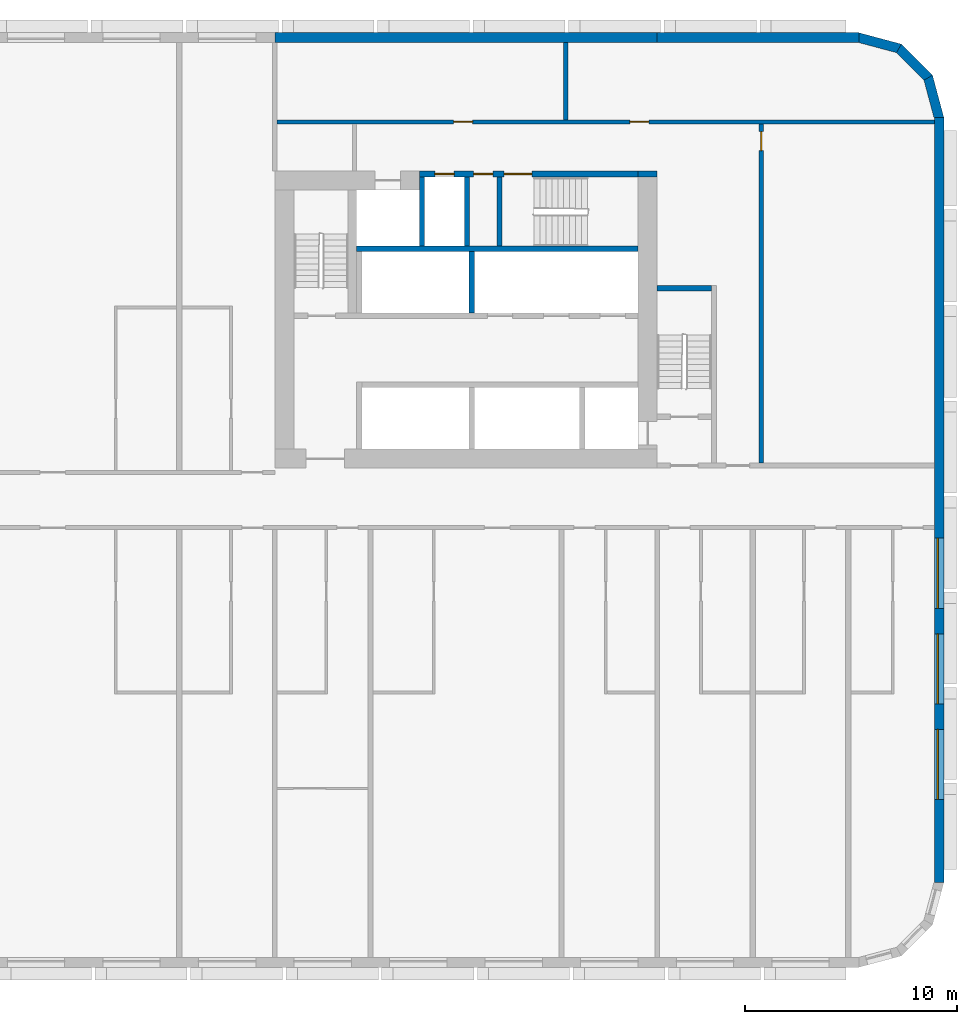
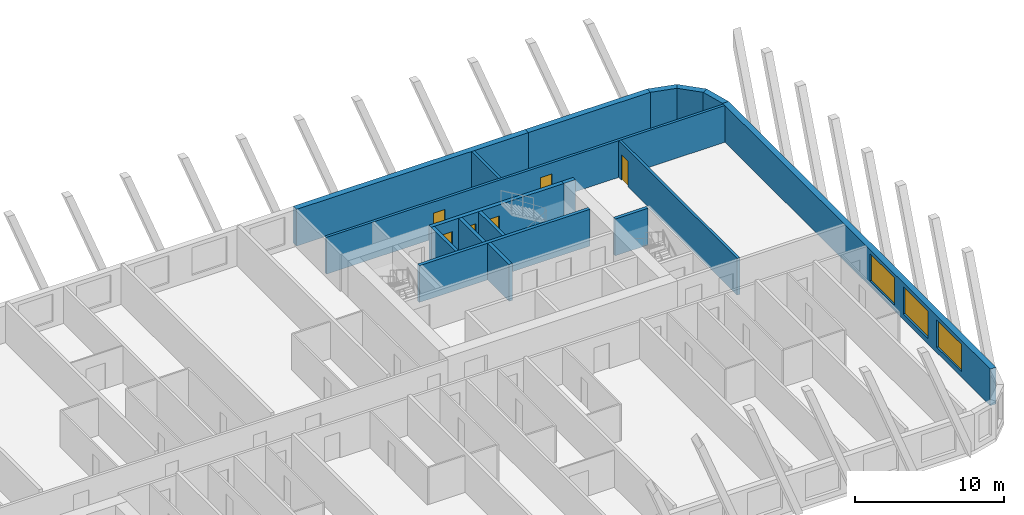
# One storey, part 8 of 13: 17 walls, 6 doors, 3 windows, 9 openings.
"""IFC4 building model written with IfcOpenShell, lengths in metres."""

from ifc_helpers import new_model, si_unit, direction, frame, frame_2d, origin, place, context, subcontext, project, spatial, polyline, rectangle, outline, extrude, material, layer, layer_set, type_object, element, fill, save


model = new_model("IFC4")

# Units and contexts
model_context = context("Model", 3, precision=1e-05, world=origin(), true_north=direction((0.0, 1.0)))
body_context = subcontext(model_context, "Body", "Model", "MODEL_VIEW")
ifc_project = project(units=[si_unit("LENGTHUNIT", "METRE"), si_unit("AREAUNIT", "SQUARE_METRE"), si_unit("VOLUMEUNIT", "CUBIC_METRE"), si_unit("PLANEANGLEUNIT", "RADIAN"), si_unit("MASSUNIT", "GRAM", prefix="KILO")], contexts=[model_context])

# Site, building, storey
site_placement = place(None, origin())
site = spatial("IfcSite", under=ifc_project, at=site_placement, CompositionType="ELEMENT")
building_placement = place(site_placement, origin())
building = spatial("IfcBuilding", under=site, at=building_placement, Name="Kajstack Hotel Tower", CompositionType="ELEMENT")
storey_placement = place(building_placement, frame((0.0, 0.0, 79.800048828125)))
storey = spatial("IfcBuildingStorey", under=building, at=storey_placement, Name="L15", CompositionType="ELEMENT", Elevation=79.800048828125)

# Walls
ifc_material_1 = material(Name="Concrete C60/75", Category="concrete")
ifc_layer_1 = layer(ifc_material_1, 0.89990234375)
ifc_layer_set_1 = layer_set([ifc_layer_1], Name="Core wall 900")
wall_type_1 = type_object("IfcWallType", Name="Core wall 900", PredefinedType="SHEAR", material=ifc_layer_set_1)
wall_1_placement = place(storey_placement, frame((30.60009765625, 15.35009765625, 0.0), z_axis=(0.0, 0.0, 1.0), x_axis=(1.0, 0.0, 0.0)))
element("IfcWall", 1, at=wall_1_placement, inside=storey, type_object=wall_type_1, Name="Core wall E RSW", PredefinedType="SHEAR", context=body_context, shape_type="SweptSolid", body=[
    extrude(rectangle(XDim=0.89990234375, YDim=0.300048828125, at=frame_2d((0.449951171875, 0.0))), origin(), (0.0, 0.0, 1.0), 3.02001953125),
])
ifc_material_2 = material(Name="Concrete C40/50", Category="concrete")
ifc_layer_2 = layer(ifc_material_2, 0.449951171875)
ifc_layer_set_2 = layer_set([ifc_layer_2], Name="EW-CORE")
wall_type_2 = type_object("IfcWallType", Name="EW-CORE", PredefinedType="SOLIDWALL", material=ifc_layer_set_2)
wall_2_placement = place(storey_placement, frame((31.5, 21.77490234375, 0.0), z_axis=(0.0, 0.0, 1.0), x_axis=(-1.0, 0.0, 0.0)))
element("IfcWall", 2, at=wall_2_placement, inside=storey, type_object=wall_type_2, Name="E-wall-L15-11-01", PredefinedType="SOLIDWALL", context=body_context, shape_type="SweptSolid", body=[
    extrude(rectangle(XDim=18.0, YDim=0.449951171875, at=frame_2d((9.0, 0.0))), origin(), (0.0, 0.0, 1.0), 3.02001953125),
])

# Wall, openings, windows
ifc_material_3 = material(Name="Terracotta-faced brick masonry", Category="masonry")
ifc_layer_3 = layer(ifc_material_3, 0.449951171875)
ifc_layer_set_3 = layer_set([ifc_layer_3], Name="EW-TERRA")
wall_type_3 = type_object("IfcWallType", Name="EW-TERRA", PredefinedType="SOLIDWALL", material=ifc_layer_set_3)
wall_3_placement = place(storey_placement, frame((44.77490234375, -18.0, 0.0), z_axis=(0.0, 0.0, 1.0), x_axis=(0.0, 1.0, 0.0)))
wall_3 = element("IfcWall", 3, at=wall_3_placement, inside=storey, type_object=wall_type_3, Name="E-wall-L15-07-00", PredefinedType="SOLIDWALL", context=body_context, shape_type="SweptSolid", body=[
    extrude(rectangle(XDim=36.0, YDim=0.449951171875, at=frame_2d((18.0, 0.0))), origin(), (0.0, 0.0, 1.0), 3.02001953125),
])
opening_1_placement = place(wall_3_placement, frame((3.89990234375, 0.0, 0.449951171875)))
opening_1 = element("IfcOpeningElement", 4, at=opening_1_placement, cuts=wall_3, Name="Opening W2", PredefinedType="OPENING", context=body_context, shape_type="SweptSolid", body=[
    extrude(rectangle(XDim=3.300048828125, YDim=2.25, at=frame_2d((1.64990234375, 1.125))), frame((0.0, 0.23486328125, 0.0), z_axis=(0.0, -1.0, 0.0), x_axis=(1.0, 0.0, 0.0)), (0.0, 0.0, 1.0), 0.469970703125),
])
opening_2_placement = place(wall_3_placement, frame((8.39990234375, 0.0, 0.449951171875)))
opening_2 = element("IfcOpeningElement", 5, at=opening_2_placement, cuts=wall_3, Name="Opening W2", PredefinedType="OPENING", context=body_context, shape_type="SweptSolid", body=[
    extrude(rectangle(XDim=3.300048828125, YDim=2.25, at=frame_2d((1.64990234375, 1.125))), frame((0.0, 0.23486328125, 0.0), z_axis=(0.0, -1.0, 0.0), x_axis=(1.0, 0.0, 0.0)), (0.0, 0.0, 1.0), 0.469970703125),
])
opening_3_placement = place(wall_3_placement, frame((12.89990234375, 0.0, 0.449951171875)))
opening_3 = element("IfcOpeningElement", 6, at=opening_3_placement, cuts=wall_3, Name="Opening W2", PredefinedType="OPENING", context=body_context, shape_type="SweptSolid", body=[
    extrude(rectangle(XDim=3.300048828125, YDim=2.25, at=frame_2d((1.64990234375, 1.125))), frame((0.0, 0.23486328125, 0.0), z_axis=(0.0, -1.0, 0.0), x_axis=(1.0, 0.0, 0.0)), (0.0, 0.0, 1.0), 0.469970703125),
])
ifc_material_4 = material(Name="Timber-aluminium window, triple glazed", Category="wood")
window_type = type_object("IfcWindowType", Name="WG2", PartitioningType="SINGLE_PANEL", PredefinedType="WINDOW", material=ifc_material_4)
window_1_placement = place(opening_1_placement, origin())
window_1 = element("IfcWindow", 7, at=window_1_placement, inside=storey, type_object=window_type, Name="Window W2 L15-07", OverallHeight=2.25, OverallWidth=3.300048828125, PartitioningType="SINGLE_PANEL", PredefinedType="WINDOW", context=body_context, shape_type="SweptSolid", body=[
    extrude(rectangle(XDim=3.300048828125, YDim=2.25, at=frame_2d((1.64990234375, 1.125))), frame((0.0, 0.090087890625, 0.0), z_axis=(0.0, -1.0, 0.0), x_axis=(1.0, 0.0, 0.0)), (0.0, 0.0, 1.0), 0.06005859375),
])
fill(opening_1, window_1)
window_2_placement = place(opening_2_placement, origin())
window_2 = element("IfcWindow", 8, at=window_2_placement, inside=storey, type_object=window_type, Name="Window W2 L15-07", OverallHeight=2.25, OverallWidth=3.300048828125, PartitioningType="SINGLE_PANEL", PredefinedType="WINDOW", context=body_context, shape_type="SweptSolid", body=[
    extrude(rectangle(XDim=3.300048828125, YDim=2.25, at=frame_2d((1.64990234375, 1.125))), frame((0.0, 0.090087890625, 0.0), z_axis=(0.0, -1.0, 0.0), x_axis=(1.0, 0.0, 0.0)), (0.0, 0.0, 1.0), 0.06005859375),
])
fill(opening_2, window_2)
window_3_placement = place(opening_3_placement, origin())
window_3 = element("IfcWindow", 9, at=window_3_placement, inside=storey, type_object=window_type, Name="Window W2 L15-07", OverallHeight=2.25, OverallWidth=3.300048828125, PartitioningType="SINGLE_PANEL", PredefinedType="WINDOW", context=body_context, shape_type="SweptSolid", body=[
    extrude(rectangle(XDim=3.300048828125, YDim=2.25, at=frame_2d((1.64990234375, 1.125))), frame((0.0, 0.090087890625, 0.0), z_axis=(0.0, -1.0, 0.0), x_axis=(1.0, 0.0, 0.0)), (0.0, 0.0, 1.0), 0.06005859375),
])
fill(opening_3, window_3)

# Walls
wall_4_placement = place(storey_placement, frame((44.78271484375, 17.941650390625, 0.0), z_axis=(0.0, 0.0, 1.0), x_axis=(-0.25881466832, 0.965926999034, 0.0)))
element("IfcWall", 10, at=wall_4_placement, inside=storey, type_object=wall_type_3, Name="E-wall-L15-08-00", PredefinedType="SOLIDWALL", context=body_context, shape_type="SweptSolid", body=[
    extrude(outline(polyline([(0.000244140625, -0.22509765625), (2.070556640625, -0.224853515625), (1.9501953125, 0.22509765625), (0.12060546875, 0.22509765625), (0.000244140625, -0.22509765625)])), origin(), (0.0, 0.0, 1.0), 3.02001953125),
])
wall_5_placement = place(storey_placement, frame((44.304931640625, 19.8408203125, 0.0), z_axis=(0.0, 0.0, 1.0), x_axis=(-0.707106781187, 0.707106781187, 0.0)))
element("IfcWall", 11, at=wall_5_placement, inside=storey, type_object=wall_type_3, Name="E-wall-L15-09-00", PredefinedType="SOLIDWALL", context=body_context, shape_type="SweptSolid", body=[
    extrude(outline(polyline([(0.0, -0.22509765625), (2.070556640625, -0.22509765625), (1.949951171875, 0.224853515625), (0.12060546875, 0.224853515625), (0.0, -0.22509765625)])), origin(), (0.0, 0.0, 1.0), 3.02001953125),
])
wall_6_placement = place(storey_placement, frame((42.941650390625, 21.246826171875, 0.0), z_axis=(0.0, 0.0, 1.0), x_axis=(-0.965926999034, 0.25881466832, 0.0)))
element("IfcWall", 12, at=wall_6_placement, inside=storey, type_object=wall_type_3, Name="E-wall-L15-10-00", PredefinedType="SOLIDWALL", context=body_context, shape_type="SweptSolid", body=[
    extrude(outline(polyline([(-0.000244140625, -0.224853515625), (2.0703125, -0.22509765625), (1.949951171875, 0.22509765625), (0.120361328125, 0.22509765625), (-0.000244140625, -0.224853515625)])), origin(), (0.0, 0.0, 1.0), 3.02001953125),
])
wall_7_placement = place(storey_placement, frame((41.0, 21.77490234375, 0.0), z_axis=(0.0, 0.0, 1.0), x_axis=(-1.0, 0.0, 0.0)))
element("IfcWall", 13, at=wall_7_placement, inside=storey, type_object=wall_type_3, Name="E-wall-L15-11-00", PredefinedType="SOLIDWALL", context=body_context, shape_type="SweptSolid", body=[
    extrude(rectangle(XDim=9.5, YDim=0.449951171875, at=frame_2d((4.75, 0.0))), origin(), (0.0, 0.0, 1.0), 3.02001953125),
])
ifc_material_5 = material(Name="Concrete C50/60", Category="concrete")
ifc_layer_4 = layer(ifc_material_5, 0.300048828125)
ifc_layer_set_4 = layer_set([ifc_layer_4], Name="Hoistway divider wall 300")
wall_type_4 = type_object("IfcWallType", Name="Hoistway divider wall 300", PredefinedType="SHEAR", material=ifc_layer_set_4)
wall_8_placement = place(storey_placement, frame((22.77490234375, 8.800048828125, 0.0), z_axis=(0.0, 0.0, 1.0), x_axis=(0.0, 1.0, 0.0)))
element("IfcWall", 14, at=wall_8_placement, inside=storey, type_object=wall_type_4, Name="Core wall E BP2", PredefinedType="SHEAR", context=body_context, shape_type="SweptSolid", body=[
    extrude(rectangle(XDim=2.89990234375, YDim=0.25, at=frame_2d((1.449951171875, 0.0))), origin(), (0.0, 0.0, 1.0), 3.02001953125),
])
ifc_material_6 = material(Name="Concrete block masonry", Category="masonry")
ifc_layer_5 = layer(ifc_material_6, 0.25)
ifc_layer_set_5 = layer_set([ifc_layer_5], Name="Riser partition 250")
wall_type_5 = type_object("IfcWallType", Name="Riser partition 250", PredefinedType="PARTITIONING", material=ifc_layer_set_5)
wall_9_placement = place(storey_placement, frame((22.550048828125, 11.949951171875, 0.0), z_axis=(0.0, 0.0, 1.0), x_axis=(0.0, 1.0, 0.0)))
element("IfcWall", 15, at=wall_9_placement, inside=storey, type_object=wall_type_5, Name="Partition E SZ0", PredefinedType="PARTITIONING", context=body_context, shape_type="SweptSolid", body=[
    extrude(rectangle(XDim=3.25, YDim=0.25, at=frame_2d((1.625, 0.0))), origin(), (0.0, 0.0, 1.0), 3.02001953125),
])

# Wall, opening, door
ifc_material_7 = material(Name="Gypsum board on steel studs, mineral wool", Category="steel")
ifc_layer_6 = layer(ifc_material_7, 0.199951171875)
ifc_layer_set_6 = layer_set([ifc_layer_6], Name="Service partition 200")
wall_type_6 = type_object("IfcWallType", Name="Service partition 200", PredefinedType="PARTITIONING", material=ifc_layer_set_6)
wall_10_placement = place(storey_placement, frame((36.39990234375, 1.75, 0.0), z_axis=(0.0, 0.0, 1.0), x_axis=(0.0, 1.0, 0.0)))
wall_10 = element("IfcWall", 16, at=wall_10_placement, inside=storey, type_object=wall_type_6, Name="Partition E WRE", PredefinedType="PARTITIONING", context=body_context, shape_type="SweptSolid", body=[
    extrude(rectangle(XDim=15.949951171875, YDim=0.199951171875, at=frame_2d((7.97509765625, 0.0))), origin(), (0.0, 0.0, 1.0), 3.02001953125),
])
opening_4_placement = place(wall_10_placement, frame((14.699951171875, 0.0, 0.0)))
opening_4 = element("IfcOpeningElement", 17, at=opening_4_placement, cuts=wall_10, Name="Opening 15E16", PredefinedType="OPENING", context=body_context, shape_type="SweptSolid", body=[
    extrude(rectangle(XDim=0.89990234375, YDim=2.10009765625, at=frame_2d((0.449951171875, 1.050048828125))), frame((0.0, 0.10986328125, 0.0), z_axis=(0.0, -1.0, 0.0), x_axis=(1.0, 0.0, 0.0)), (0.0, 0.0, 1.0), 0.219970703125),
])
ifc_material_8 = material(Name="Timber leaf, fire-rated", Category="wood")
door_type_1 = type_object("IfcDoorType", Name="Service door 900", OperationType="SINGLE_SWING_LEFT", PredefinedType="DOOR", material=ifc_material_8)
door_1_placement = place(opening_4_placement, origin())
door_1 = element("IfcDoor", 18, at=door_1_placement, inside=storey, type_object=door_type_1, Name="Door 15E16", OperationType="SINGLE_SWING_RIGHT", OverallHeight=2.10009765625, OverallWidth=0.89990234375, PredefinedType="DOOR", context=body_context, shape_type="SweptSolid", body=[
    extrude(rectangle(XDim=0.89990234375, YDim=2.10009765625, at=frame_2d((0.449951171875, 1.050048828125))), frame((0.0, 0.02490234375, 0.0), z_axis=(0.0, -1.0, 0.0), x_axis=(1.0, 0.0, 0.0)), (0.0, 0.0, 1.0), 0.050048828125),
])
fill(opening_4, door_1)

# Wall, openings, doors
wall_11_placement = place(storey_placement, frame((13.60009765625, 17.800048828125, 0.0), z_axis=(0.0, 0.0, 1.0), x_axis=(1.0, 0.0, 0.0)))
wall_11 = element("IfcWall", 19, at=wall_11_placement, inside=storey, type_object=wall_type_6, Name="Partition E SLN", PredefinedType="PARTITIONING", context=body_context, shape_type="SweptSolid", body=[
    extrude(rectangle(XDim=30.949951171875, YDim=0.199951171875, at=frame_2d((15.47509765625, 0.0))), origin(), (0.0, 0.0, 1.0), 3.02001953125),
])
opening_5_placement = place(wall_11_placement, frame((16.612548828125, 0.0, 0.0)))
opening_5 = element("IfcOpeningElement", 20, at=opening_5_placement, cuts=wall_11, Name="Opening 15E14", PredefinedType="OPENING", context=body_context, shape_type="SweptSolid", body=[
    extrude(rectangle(XDim=0.89990234375, YDim=2.10009765625, at=frame_2d((0.449951171875, 1.050048828125))), frame((0.0, 0.10986328125, 0.0), z_axis=(0.0, -1.0, 0.0), x_axis=(1.0, 0.0, 0.0)), (0.0, 0.0, 1.0), 0.219970703125),
])
opening_6_placement = place(wall_11_placement, frame((8.3125, 0.0, 0.0)))
opening_6 = element("IfcOpeningElement", 21, at=opening_6_placement, cuts=wall_11, Name="Opening 15E15", PredefinedType="OPENING", context=body_context, shape_type="SweptSolid", body=[
    extrude(rectangle(XDim=0.89990234375, YDim=2.10009765625, at=frame_2d((0.449951171875, 1.050048828125))), frame((0.0, 0.10986328125, 0.0), z_axis=(0.0, -1.0, 0.0), x_axis=(1.0, 0.0, 0.0)), (0.0, 0.0, 1.0), 0.219970703125),
])
door_2_placement = place(opening_5_placement, origin())
door_2 = element("IfcDoor", 22, at=door_2_placement, inside=storey, type_object=door_type_1, Name="Door 15E14", OperationType="SINGLE_SWING_LEFT", OverallHeight=2.10009765625, OverallWidth=0.89990234375, PredefinedType="DOOR", context=body_context, shape_type="SweptSolid", body=[
    extrude(rectangle(XDim=0.89990234375, YDim=2.10009765625, at=frame_2d((0.449951171875, 1.050048828125))), frame((0.0, 0.02490234375, 0.0), z_axis=(0.0, -1.0, 0.0), x_axis=(1.0, 0.0, 0.0)), (0.0, 0.0, 1.0), 0.050048828125),
])
fill(opening_5, door_2)
door_3_placement = place(opening_6_placement, origin())
door_3 = element("IfcDoor", 23, at=door_3_placement, inside=storey, type_object=door_type_1, Name="Door 15E15", OperationType="SINGLE_SWING_LEFT", OverallHeight=2.10009765625, OverallWidth=0.89990234375, PredefinedType="DOOR", context=body_context, shape_type="SweptSolid", body=[
    extrude(rectangle(XDim=0.89990234375, YDim=2.10009765625, at=frame_2d((0.449951171875, 1.050048828125))), frame((0.0, 0.02490234375, 0.0), z_axis=(0.0, -1.0, 0.0), x_axis=(1.0, 0.0, 0.0)), (0.0, 0.0, 1.0), 0.050048828125),
])
fill(opening_6, door_3)

# Wall
wall_12_placement = place(storey_placement, frame((27.199951171875, 17.89990234375, 0.0), z_axis=(0.0, 0.0, 1.0), x_axis=(0.0, 1.0, 0.0)))
element("IfcWall", 24, at=wall_12_placement, inside=storey, type_object=wall_type_6, Name="Partition E SLP0", PredefinedType="PARTITIONING", context=body_context, shape_type="SweptSolid", body=[
    extrude(rectangle(XDim=3.650146484375, YDim=0.199951171875, at=frame_2d((1.8251953125, 0.0))), origin(), (0.0, 0.0, 1.0), 3.02001953125),
])

# Wall, openings, doors
ifc_layer_7 = layer(ifc_material_5, 0.25)
ifc_layer_set_7 = layer_set([ifc_layer_7], Name="Shaft wall 250")
wall_type_7 = type_object("IfcWallType", Name="Shaft wall 250", PredefinedType="SHEAR", material=ifc_layer_set_7)
wall_13_placement = place(storey_placement, frame((20.300048828125, 15.35009765625, 0.0), z_axis=(0.0, 0.0, 1.0), x_axis=(1.0, 0.0, 0.0)))
wall_13 = element("IfcWall", 25, at=wall_13_placement, inside=storey, type_object=wall_type_7, Name="Core wall E RSS", PredefinedType="SHEAR", context=body_context, shape_type="SweptSolid", body=[
    extrude(rectangle(XDim=10.300048828125, YDim=0.300048828125, at=frame_2d((5.14990234375, 0.0))), origin(), (0.0, 0.0, 1.0), 3.02001953125),
])
opening_7_placement = place(wall_13_placement, frame((4.0, 0.0, 0.0)))
opening_7 = element("IfcOpeningElement", 26, at=opening_7_placement, cuts=wall_13, Name="Opening 15E11", PredefinedType="OPENING", context=body_context, shape_type="SweptSolid", body=[
    extrude(rectangle(XDim=1.300048828125, YDim=2.10009765625, at=frame_2d((0.64990234375, 1.050048828125))), frame((0.0, 0.159912109375, 0.0), z_axis=(0.0, -1.0, 0.0), x_axis=(1.0, 0.0, 0.0)), (0.0, 0.0, 1.0), 0.320068359375),
])
opening_8_placement = place(wall_13_placement, frame((2.5625, 0.0, 0.0)))
opening_8 = element("IfcOpeningElement", 27, at=opening_8_placement, cuts=wall_13, Name="Opening 15E12", PredefinedType="OPENING", context=body_context, shape_type="SweptSolid", body=[
    extrude(rectangle(XDim=0.89990234375, YDim=2.10009765625, at=frame_2d((0.449951171875, 1.050048828125))), frame((0.0, 0.159912109375, 0.0), z_axis=(0.0, -1.0, 0.0), x_axis=(1.0, 0.0, 0.0)), (0.0, 0.0, 1.0), 0.320068359375),
])
opening_9_placement = place(wall_13_placement, frame((0.737548828125, 0.0, 0.0)))
opening_9 = element("IfcOpeningElement", 28, at=opening_9_placement, cuts=wall_13, Name="Opening 15E13", PredefinedType="OPENING", context=body_context, shape_type="SweptSolid", body=[
    extrude(rectangle(XDim=0.89990234375, YDim=2.10009765625, at=frame_2d((0.449951171875, 1.050048828125))), frame((0.0, 0.159912109375, 0.0), z_axis=(0.0, -1.0, 0.0), x_axis=(1.0, 0.0, 0.0)), (0.0, 0.0, 1.0), 0.320068359375),
])
ifc_material_9 = material(Name="Steel leaf, fire-rated", Category="steel")
door_type_2 = type_object("IfcDoorType", Name="Riser door 900", OperationType="SINGLE_SWING_LEFT", PredefinedType="DOOR", material=ifc_material_9)
door_4_placement = place(opening_9_placement, origin())
door_4 = element("IfcDoor", 29, at=door_4_placement, inside=storey, type_object=door_type_2, Name="Door 15E13", OperationType="SINGLE_SWING_RIGHT", OverallHeight=2.10009765625, OverallWidth=0.89990234375, PredefinedType="DOOR", context=body_context, shape_type="SweptSolid", body=[
    extrude(rectangle(XDim=0.89990234375, YDim=2.10009765625, at=frame_2d((0.449951171875, 1.050048828125))), frame((0.0, 0.02490234375, 0.0), z_axis=(0.0, -1.0, 0.0), x_axis=(1.0, 0.0, 0.0)), (0.0, 0.0, 1.0), 0.050048828125),
])
fill(opening_9, door_4)
door_5_placement = place(opening_8_placement, origin())
door_5 = element("IfcDoor", 30, at=door_5_placement, inside=storey, type_object=door_type_1, Name="Door 15E12", OperationType="SINGLE_SWING_RIGHT", OverallHeight=2.10009765625, OverallWidth=0.89990234375, PredefinedType="DOOR", context=body_context, shape_type="SweptSolid", body=[
    extrude(rectangle(XDim=0.89990234375, YDim=2.10009765625, at=frame_2d((0.449951171875, 1.050048828125))), frame((0.0, 0.02490234375, 0.0), z_axis=(0.0, -1.0, 0.0), x_axis=(1.0, 0.0, 0.0)), (0.0, 0.0, 1.0), 0.050048828125),
])
fill(opening_8, door_5)
door_type_3 = type_object("IfcDoorType", Name="Stair door 1300", OperationType="SINGLE_SWING_LEFT", PredefinedType="DOOR", material=ifc_material_9)
door_6_placement = place(opening_7_placement, origin())
door_6 = element("IfcDoor", 31, at=door_6_placement, inside=storey, type_object=door_type_3, Name="Door 15E11", OperationType="SINGLE_SWING_LEFT", OverallHeight=2.10009765625, OverallWidth=1.300048828125, PredefinedType="DOOR", context=body_context, shape_type="SweptSolid", body=[
    extrude(rectangle(XDim=1.300048828125, YDim=2.10009765625, at=frame_2d((0.64990234375, 1.050048828125))), frame((0.0, 0.02490234375, 0.0), z_axis=(0.0, -1.0, 0.0), x_axis=(1.0, 0.0, 0.0)), (0.0, 0.0, 1.0), 0.050048828125),
])
fill(opening_7, door_6)

# Walls
wall_14_placement = place(storey_placement, frame((17.35009765625, 11.824951171875, 0.0), z_axis=(0.0, 0.0, 1.0), x_axis=(1.0, 0.0, 0.0)))
element("IfcWall", 32, at=wall_14_placement, inside=storey, type_object=wall_type_7, Name="Core wall E RB", PredefinedType="SHEAR", context=body_context, shape_type="SweptSolid", body=[
    extrude(rectangle(XDim=13.25, YDim=0.25, at=frame_2d((6.625, 0.0))), origin(), (0.0, 0.0, 1.0), 3.02001953125),
])
wall_15_placement = place(storey_placement, frame((20.425048828125, 11.949951171875, 0.0), z_axis=(0.0, 0.0, 1.0), x_axis=(0.0, 1.0, 0.0)))
element("IfcWall", 33, at=wall_15_placement, inside=storey, type_object=wall_type_7, Name="Core wall E SVW", PredefinedType="SHEAR", context=body_context, shape_type="SweptSolid", body=[
    extrude(rectangle(XDim=3.25, YDim=0.25, at=frame_2d((1.625, 0.0))), origin(), (0.0, 0.0, 1.0), 3.02001953125),
])
ifc_layer_8 = layer(ifc_material_2, 0.25)
ifc_layer_set_8 = layer_set([ifc_layer_8], Name="Stair enclosure wall 250")
wall_type_8 = type_object("IfcWallType", Name="Stair enclosure wall 250", PredefinedType="SHEAR", material=ifc_layer_set_8)
wall_16_placement = place(storey_placement, frame((31.5, 9.97509765625, 0.0), z_axis=(0.0, 0.0, 1.0), x_axis=(1.0, 0.0, 0.0)))
element("IfcWall", 34, at=wall_16_placement, inside=storey, type_object=wall_type_8, Name="Core wall E W1S", PredefinedType="SHEAR", context=body_context, shape_type="SweptSolid", body=[
    extrude(rectangle(XDim=2.550048828125, YDim=0.25, at=frame_2d((1.27490234375, 0.0))), origin(), (0.0, 0.0, 1.0), 3.02001953125),
])
ifc_layer_9 = layer(ifc_material_5, 0.35009765625)
ifc_layer_set_9 = layer_set([ifc_layer_9], Name="Stair enclosure wall 350")
wall_type_9 = type_object("IfcWallType", Name="Stair enclosure wall 350", PredefinedType="SHEAR", material=ifc_layer_set_9)
wall_17_placement = place(storey_placement, frame((24.074951171875, 11.949951171875, 0.0), z_axis=(0.0, 0.0, 1.0), x_axis=(0.0, 1.0, 0.0)))
element("IfcWall", 35, at=wall_17_placement, inside=storey, type_object=wall_type_9, Name="Core wall E W3E", PredefinedType="SHEAR", context=body_context, shape_type="SweptSolid", body=[
    extrude(rectangle(XDim=3.25, YDim=0.25, at=frame_2d((1.625, 0.0))), origin(), (0.0, 0.0, 1.0), 3.02001953125),
])

save(model, "model.ifc")
